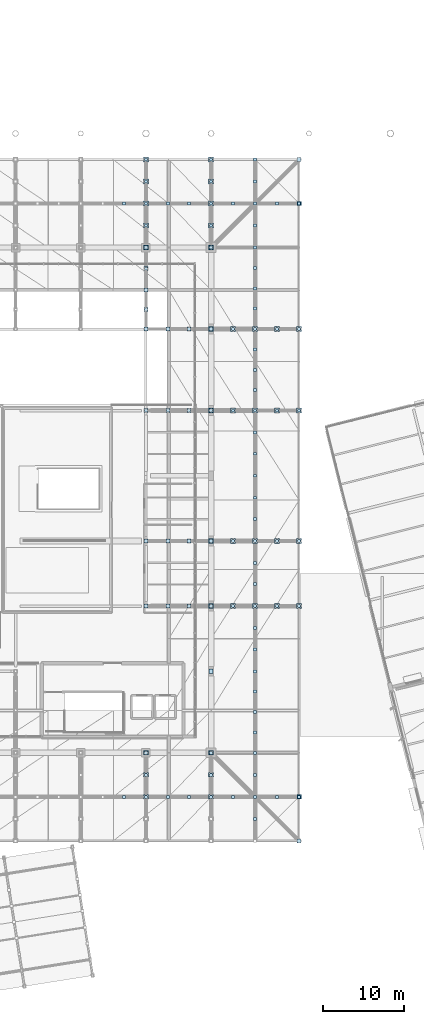
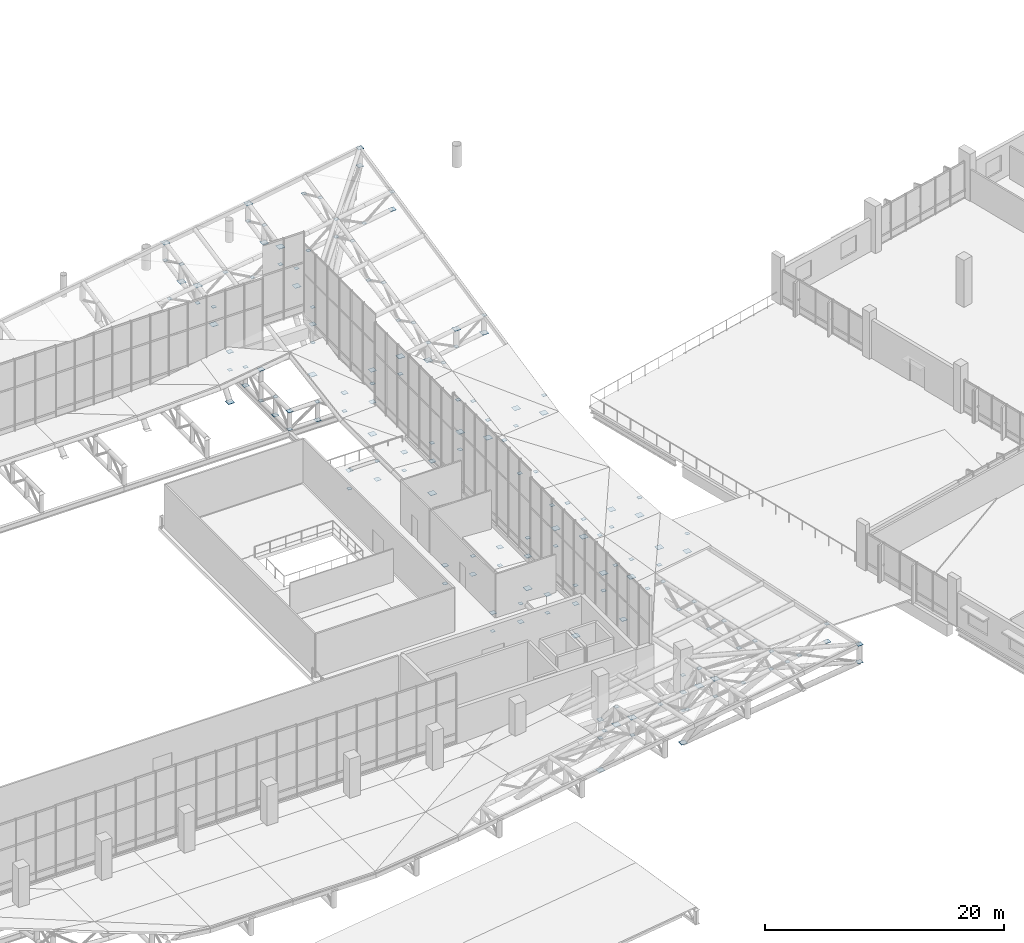
# One storey, part 119 of 137: 162 plates.
"""IFC4 building model written with IfcOpenShell, lengths in metres."""

from ifc_helpers import new_model, si_unit, direction, frame, origin, origin_2d, place, context, subcontext, project, spatial, rectangle, extrude, material, layer, layer_set, type_object, element, save


model = new_model("IFC4")

# Units and contexts
model_context = context("Model", 3, precision=1e-05, world=origin(), true_north=direction((0.0, 1.0)))
body_context = subcontext(model_context, "Body", "Model", "MODEL_VIEW")
ifc_project = project(units=[si_unit("LENGTHUNIT", "METRE"), si_unit("AREAUNIT", "SQUARE_METRE"), si_unit("VOLUMEUNIT", "CUBIC_METRE"), si_unit("PLANEANGLEUNIT", "RADIAN"), si_unit("MASSUNIT", "GRAM", prefix="KILO")], contexts=[model_context])

# Site, building, storey
site_placement = place(None, origin())
site = spatial("IfcSite", under=ifc_project, at=site_placement, CompositionType="ELEMENT")
building_placement = place(site_placement, origin())
building = spatial("IfcBuilding", under=site, at=building_placement, Name="Khorjan Park Terminus", CompositionType="ELEMENT")
storey_placement = place(building_placement, frame((0.0, 0.0, 11.4)))
storey = spatial("IfcBuildingStorey", under=building, at=storey_placement, Name="L02", CompositionType="ELEMENT", Elevation=11.4)

# Plates
ifc_material = material(Name="Steel S355", Category="steel")
ifc_layer_1 = layer(ifc_material, 0.022)
ifc_layer_set_1 = layer_set([ifc_layer_1], Name="Steel S355")
plate_type_1 = type_object("IfcPlateType", Name="PT-GUS-22", PredefinedType="SHEET", material=ifc_layer_set_1)
plate_placement = place(storey_placement, frame((128.0, 26.0, -0.061), z_axis=(0.0, 0.0, 1.0), x_axis=(1.0, 0.0, 0.0)))
element("IfcPlate", 1, at=plate_placement, inside=storey, type_object=plate_type_1, Name="Steel truss node cap plate NP-22 (RC2-GUS-END-0837)", PredefinedType="SHEET", context=body_context, shape_type="SweptSolid", body=[
    extrude(rectangle(XDim=0.49, YDim=0.49, at=origin_2d()), origin(), (0.0, 0.0, 1.0), 0.022),
])
for number, where, z_axis, x_axis, name in (
    (2, (128.0, 78.0, -1.931), (0.0, 0.0, 1.0), (1.0, 0.0, 0.0), "Steel truss node cap plate NP-22 (RC2-GUS-END-0839)"),
    (3, (128.0, 80.4, -0.061), (0.0, 0.0, 1.0), (1.0, 0.0, 0.0), "Steel truss node cap plate NP-22 (RC2-GUS-END-0840)"),
    (4, (128.0, 82.8, -1.931), (0.0, 0.0, 1.0), (1.0, 0.0, 0.0), "Steel truss node cap plate NP-22 (RC2-GUS-END-0841)"),
    (5, (128.0, 85.4, -0.061), (0.0, 0.0, 1.0), (1.0, 0.0, 0.0), "Steel truss node cap plate NP-22 (RC2-GUS-END-0842)"),
    (6, (128.0, 88.0, -1.931), (0.0, 0.0, 1.0), (1.0, 0.0, 0.0), "Steel truss node cap plate NP-22 (RC2-GUS-END-0843)"),
):
    element("IfcPlate", number, at=place(storey_placement, frame(where, z_axis=z_axis, x_axis=x_axis)), inside=storey, type_object=plate_type_1, Name=name, PredefinedType="SHEET", context=body_context, shape_type="SweptSolid", body=[
        extrude(rectangle(XDim=0.36, YDim=0.36, at=origin_2d()), origin(), (0.0, 0.0, 1.0), 0.022),
    ])
for number, where, z_axis, x_axis, name in (
    (7, (128.0, 78.0, -0.061), (0.0, 0.0, 1.0), (1.0, 0.0, 0.0), "Steel truss node cap plate NP-22 (RC2-GUS-END-0848)"),
    (8, (128.0, 80.4, -1.931), (0.0, 0.0, 1.0), (1.0, 0.0, 0.0), "Steel truss node cap plate NP-22 (RC2-GUS-END-0849)"),
    (9, (128.0, 82.8, 1.2795), (0.0, 0.0, 1.0), (1.0, 0.0, 0.0), "Steel truss node cap plate NP-22 (RC2-GUS-END-0850)"),
    (10, (128.0, 85.4, -1.931), (0.0, 0.0, 1.0), (1.0, 0.0, 0.0), "Steel truss node cap plate NP-22 (RC2-GUS-END-0851)"),
    (11, (128.0, 88.0, -0.061), (0.0, 0.0, 1.0), (1.0, 0.0, 0.0), "Steel truss node cap plate NP-22 (RC2-GUS-END-0852)"),
    (12, (136.0, 26.0, -0.061), (0.0, 0.0, 1.0), (1.0, 0.0, 0.0), "Steel truss node cap plate NP-22 (RC2-GUS-END-0867)"),
    (13, (136.0, 88.0, -0.061), (0.0, 0.0, 1.0), (1.0, 0.0, 0.0), "Steel truss node cap plate NP-22 (RC2-GUS-END-0874)"),
):
    element("IfcPlate", number, at=place(storey_placement, frame(where, z_axis=z_axis, x_axis=x_axis)), inside=storey, type_object=plate_type_1, Name=name, PredefinedType="SHEET", context=body_context, shape_type="SweptSolid", body=[
        extrude(rectangle(XDim=0.49, YDim=0.49, at=origin_2d()), origin(), (0.0, 0.0, 1.0), 0.022),
    ])
for number, where, z_axis, x_axis, name in (
    (14, (128.0, 44.0, -1.931), (0.0, 0.0, 1.0), (1.0, 0.0, 0.0), "Steel truss node cap plate NP-22 (RC2-GUS-END-0963)"),
    (15, (130.7, 44.0, -0.061), (0.0, 0.0, 1.0), (1.0, 0.0, 0.0), "Steel truss node cap plate NP-22 (RC2-GUS-END-0964)"),
    (16, (133.3, 44.0, -1.931), (0.0, 0.0, 1.0), (1.0, 0.0, 0.0), "Steel truss node cap plate NP-22 (RC2-GUS-END-0965)"),
    (17, (136.0, 44.0, -0.061), (0.0, 0.0, 1.0), (1.0, 0.0, 0.0), "Steel truss node cap plate NP-22 (RC2-GUS-END-0966)"),
):
    element("IfcPlate", number, at=place(storey_placement, frame(where, z_axis=z_axis, x_axis=x_axis)), inside=storey, type_object=plate_type_1, Name=name, PredefinedType="SHEET", context=body_context, shape_type="SweptSolid", body=[
        extrude(rectangle(XDim=0.36, YDim=0.36, at=origin_2d()), origin(), (0.0, 0.0, 1.0), 0.022),
    ])
for number, where, z_axis, x_axis, name in (
    (18, (128.0, 44.0, -0.061), (0.0, 0.0, 1.0), (1.0, 0.0, 0.0), "Steel truss node cap plate NP-22 (RC2-GUS-END-0971)"),
    (19, (130.7, 44.0, -1.931), (0.0, 0.0, 1.0), (1.0, 0.0, 0.0), "Steel truss node cap plate NP-22 (RC2-GUS-END-0972)"),
    (20, (133.3, 44.0, -0.061), (0.0, 0.0, 1.0), (1.0, 0.0, 0.0), "Steel truss node cap plate NP-22 (RC2-GUS-END-0973)"),
    (21, (136.0, 44.0, -1.931), (0.0, 0.0, 1.0), (1.0, 0.0, 0.0), "Steel truss node cap plate NP-22 (RC2-GUS-END-0974)"),
):
    element("IfcPlate", number, at=place(storey_placement, frame(where, z_axis=z_axis, x_axis=x_axis)), inside=storey, type_object=plate_type_1, Name=name, PredefinedType="SHEET", context=body_context, shape_type="SweptSolid", body=[
        extrude(rectangle(XDim=0.49, YDim=0.49, at=origin_2d()), origin(), (0.0, 0.0, 1.0), 0.022),
    ])
for number, where, z_axis, x_axis, name in (
    (22, (128.0, 52.0, -1.931), (0.0, 0.0, 1.0), (1.0, 0.0, 0.0), "Steel truss node cap plate NP-22 (RC2-GUS-END-1003)"),
    (23, (130.7, 52.0, -0.061), (0.0, 0.0, 1.0), (1.0, 0.0, 0.0), "Steel truss node cap plate NP-22 (RC2-GUS-END-1004)"),
    (24, (133.3, 52.0, -1.931), (0.0, 0.0, 1.0), (1.0, 0.0, 0.0), "Steel truss node cap plate NP-22 (RC2-GUS-END-1005)"),
    (25, (136.0, 52.0, -0.061), (0.0, 0.0, 1.0), (1.0, 0.0, 0.0), "Steel truss node cap plate NP-22 (RC2-GUS-END-1006)"),
):
    element("IfcPlate", number, at=place(storey_placement, frame(where, z_axis=z_axis, x_axis=x_axis)), inside=storey, type_object=plate_type_1, Name=name, PredefinedType="SHEET", context=body_context, shape_type="SweptSolid", body=[
        extrude(rectangle(XDim=0.36, YDim=0.36, at=origin_2d()), origin(), (0.0, 0.0, 1.0), 0.022),
    ])
for number, where, z_axis, x_axis, name in (
    (26, (128.0, 52.0, -0.061), (0.0, 0.0, 1.0), (1.0, 0.0, 0.0), "Steel truss node cap plate NP-22 (RC2-GUS-END-1011)"),
    (27, (130.7, 52.0, -1.931), (0.0, 0.0, 1.0), (1.0, 0.0, 0.0), "Steel truss node cap plate NP-22 (RC2-GUS-END-1012)"),
    (28, (133.3, 52.0, -0.061), (0.0, 0.0, 1.0), (1.0, 0.0, 0.0), "Steel truss node cap plate NP-22 (RC2-GUS-END-1013)"),
    (29, (136.0, 52.0, -1.931), (0.0, 0.0, 1.0), (1.0, 0.0, 0.0), "Steel truss node cap plate NP-22 (RC2-GUS-END-1014)"),
):
    element("IfcPlate", number, at=place(storey_placement, frame(where, z_axis=z_axis, x_axis=x_axis)), inside=storey, type_object=plate_type_1, Name=name, PredefinedType="SHEET", context=body_context, shape_type="SweptSolid", body=[
        extrude(rectangle(XDim=0.49, YDim=0.49, at=origin_2d()), origin(), (0.0, 0.0, 1.0), 0.022),
    ])
for number, where, z_axis, x_axis, name in (
    (30, (128.0, 68.0, -1.931), (0.0, 0.0, 1.0), (1.0, 0.0, 0.0), "Steel truss node cap plate NP-22 (RC2-GUS-END-1043)"),
    (31, (130.7, 68.0, -0.061), (0.0, 0.0, 1.0), (1.0, 0.0, 0.0), "Steel truss node cap plate NP-22 (RC2-GUS-END-1044)"),
    (32, (133.3, 68.0, -1.931), (0.0, 0.0, 1.0), (1.0, 0.0, 0.0), "Steel truss node cap plate NP-22 (RC2-GUS-END-1045)"),
    (33, (136.0, 68.0, -0.061), (0.0, 0.0, 1.0), (1.0, 0.0, 0.0), "Steel truss node cap plate NP-22 (RC2-GUS-END-1046)"),
):
    element("IfcPlate", number, at=place(storey_placement, frame(where, z_axis=z_axis, x_axis=x_axis)), inside=storey, type_object=plate_type_1, Name=name, PredefinedType="SHEET", context=body_context, shape_type="SweptSolid", body=[
        extrude(rectangle(XDim=0.36, YDim=0.36, at=origin_2d()), origin(), (0.0, 0.0, 1.0), 0.022),
    ])
for number, where, z_axis, x_axis, name in (
    (34, (128.0, 68.0, -0.061), (0.0, 0.0, 1.0), (1.0, 0.0, 0.0), "Steel truss node cap plate NP-22 (RC2-GUS-END-1051)"),
    (35, (130.7, 68.0, -1.931), (0.0, 0.0, 1.0), (1.0, 0.0, 0.0), "Steel truss node cap plate NP-22 (RC2-GUS-END-1052)"),
    (36, (133.3, 68.0, -0.061), (0.0, 0.0, 1.0), (1.0, 0.0, 0.0), "Steel truss node cap plate NP-22 (RC2-GUS-END-1053)"),
    (37, (136.0, 68.0, -1.931), (0.0, 0.0, 1.0), (1.0, 0.0, 0.0), "Steel truss node cap plate NP-22 (RC2-GUS-END-1054)"),
):
    element("IfcPlate", number, at=place(storey_placement, frame(where, z_axis=z_axis, x_axis=x_axis)), inside=storey, type_object=plate_type_1, Name=name, PredefinedType="SHEET", context=body_context, shape_type="SweptSolid", body=[
        extrude(rectangle(XDim=0.49, YDim=0.49, at=origin_2d()), origin(), (0.0, 0.0, 1.0), 0.022),
    ])
for number, where, z_axis, x_axis, name in (
    (38, (130.7, 78.0, -0.061), (0.0, 0.0, 1.0), (1.0, 0.0, 0.0), "Steel truss node cap plate NP-22 (RC2-GUS-END-1079)"),
    (39, (133.3, 78.0, -1.931), (0.0, 0.0, 1.0), (1.0, 0.0, 0.0), "Steel truss node cap plate NP-22 (RC2-GUS-END-1080)"),
    (40, (136.0, 78.0, -0.061), (0.0, 0.0, 1.0), (1.0, 0.0, 0.0), "Steel truss node cap plate NP-22 (RC2-GUS-END-1081)"),
):
    element("IfcPlate", number, at=place(storey_placement, frame(where, z_axis=z_axis, x_axis=x_axis)), inside=storey, type_object=plate_type_1, Name=name, PredefinedType="SHEET", context=body_context, shape_type="SweptSolid", body=[
        extrude(rectangle(XDim=0.36, YDim=0.36, at=origin_2d()), origin(), (0.0, 0.0, 1.0), 0.022),
    ])
for number, where, z_axis, x_axis, name in (
    (41, (130.7, 78.0, -1.931), (0.0, 0.0, 1.0), (1.0, 0.0, 0.0), "Steel truss node cap plate NP-22 (RC2-GUS-END-1086)"),
    (42, (133.3, 78.0, -0.061), (0.0, 0.0, 1.0), (1.0, 0.0, 0.0), "Steel truss node cap plate NP-22 (RC2-GUS-END-1087)"),
    (43, (136.0, 78.0, -1.931), (0.0, 0.0, 1.0), (1.0, 0.0, 0.0), "Steel truss node cap plate NP-22 (RC2-GUS-END-1088)"),
):
    element("IfcPlate", number, at=place(storey_placement, frame(where, z_axis=z_axis, x_axis=x_axis)), inside=storey, type_object=plate_type_1, Name=name, PredefinedType="SHEET", context=body_context, shape_type="SweptSolid", body=[
        extrude(rectangle(XDim=0.49, YDim=0.49, at=origin_2d()), origin(), (0.0, 0.0, 1.0), 0.022),
    ])
ifc_layer_2 = layer(ifc_material, 0.025)
ifc_layer_set_2 = layer_set([ifc_layer_2], Name="Steel S355")
plate_type_2 = type_object("IfcPlateType", Name="PT-GUSE-25", PredefinedType="SHEET", material=ifc_layer_set_2)
for number, where, z_axis, x_axis, name in (
    (44, (136.0, 36.0, 1.3117), (0.0, 0.0, 1.0), (1.0, 0.0, 0.0), "Steel truss node cap plate NPE-25 (RC2-NP-LRIM-S-136)"),
    (45, (136.0, 78.0, 1.3117), (0.0, 0.0, 1.0), (1.0, 0.0, 0.0), "Steel truss node cap plate NPE-25 (RC2-NP-LRIM-N-136)"),
    (46, (146.8, 20.6, 4.6131), (0.0, 0.0, 1.0), (1.0, 0.0, 0.0), "Steel truss node cap plate NPE-25 (RC2-NP-LMR-E-S)"),
    (47, (146.8, 93.4, 4.6131), (0.0, 0.0, 1.0), (1.0, 0.0, 0.0), "Steel truss node cap plate NPE-25 (RC2-NP-LMR-E-N)"),
):
    element("IfcPlate", number, at=place(storey_placement, frame(where, z_axis=z_axis, x_axis=x_axis)), inside=storey, type_object=plate_type_2, Name=name, PredefinedType="SHEET", context=body_context, shape_type="SweptSolid", body=[
        extrude(rectangle(XDim=0.52, YDim=0.52, at=origin_2d()), origin(), (0.0, 0.0, 1.0), 0.025),
    ])
for number, where, z_axis, x_axis, name in (
    (48, (146.8, 15.2, 7.6075), (0.0, 0.0, 1.0), (1.0, 0.0, 0.0), "Steel truss node cap plate NPE-25 (RC2-NP-LCRN-SE)"),
    (49, (146.8, 15.2, 5.8075), (0.0, 0.0, 1.0), (1.0, 0.0, 0.0), "Steel truss node cap plate NPE-25 (RC2-NP-LCRN-B-SE)"),
    (50, (146.8, 98.8, 7.6075), (0.0, 0.0, 1.0), (1.0, 0.0, 0.0), "Steel truss node cap plate NPE-25 (RC2-NP-LCRN-NE)"),
    (51, (146.8, 98.8, 5.8075), (0.0, 0.0, 1.0), (1.0, 0.0, 0.0), "Steel truss node cap plate NPE-25 (RC2-NP-LCRN-B-NE)"),
):
    element("IfcPlate", number, at=place(storey_placement, frame(where, z_axis=z_axis, x_axis=x_axis)), inside=storey, type_object=plate_type_2, Name=name, PredefinedType="SHEET", context=body_context, shape_type="SweptSolid", body=[
        extrude(rectangle(XDim=0.5, YDim=0.5, at=origin_2d()), origin(), (0.0, 0.0, 1.0), 0.025),
    ])
for number, where, z_axis, x_axis, name in (
    (52, (128.0, 20.6, 1.6258), (0.0, 0.0, 1.0), (1.0, 0.0, 0.0), "Steel truss node cap plate NPE-25 (RC2-GUS-END-0830)"),
    (53, (128.0, 23.3, 2.8748), (0.0, 0.0, 1.0), (1.0, 0.0, 0.0), "Steel truss node cap plate NPE-25 (RC2-GUS-END-0831)"),
    (54, (128.0, 26.0, -1.9325), (0.0, 0.0, 1.0), (1.0, 0.0, 0.0), "Steel truss node cap plate NPE-25 (RC2-GUS-END-0832)"),
):
    element("IfcPlate", number, at=place(storey_placement, frame(where, z_axis=z_axis, x_axis=x_axis)), inside=storey, type_object=plate_type_2, Name=name, PredefinedType="SHEET", context=body_context, shape_type="SweptSolid", body=[
        extrude(rectangle(XDim=0.36, YDim=0.36, at=origin_2d()), origin(), (0.0, 0.0, 1.0), 0.025),
    ])
for number, where, z_axis, x_axis, name in (
    (55, (128.0, 20.6, 3.4258), (0.0, 0.0, 1.0), (1.0, 0.0, 0.0), "Steel truss node cap plate NPE-25 (RC2-GUS-END-0835)"),
    (56, (128.0, 23.3, 1.0748), (0.0, 0.0, 1.0), (1.0, 0.0, 0.0), "Steel truss node cap plate NPE-25 (RC2-GUS-END-0836)"),
    (57, (128.0, 26.0, -5.2125), (0.0, 0.0, 1.0), (1.0, 0.0, 0.0), "Steel truss node cap plate NPE-25 (RC2-GUS-END-0838)"),
):
    element("IfcPlate", number, at=place(storey_placement, frame(where, z_axis=z_axis, x_axis=x_axis)), inside=storey, type_object=plate_type_2, Name=name, PredefinedType="SHEET", context=body_context, shape_type="SweptSolid", body=[
        extrude(rectangle(XDim=0.59, YDim=0.59, at=origin_2d()), origin(), (0.0, 0.0, 1.0), 0.025),
    ])
for number, where, z_axis, x_axis, name in (
    (58, (128.0, 90.7, 2.8748), (0.0, 0.0, 1.0), (1.0, 0.0, 0.0), "Steel truss node cap plate NPE-25 (RC2-GUS-END-0844)"),
    (59, (128.0, 93.4, 1.6258), (0.0, 0.0, 1.0), (1.0, 0.0, 0.0), "Steel truss node cap plate NPE-25 (RC2-GUS-END-0845)"),
    (60, (128.0, 96.1, 3.969), (0.0, 0.0, 1.0), (1.0, 0.0, 0.0), "Steel truss node cap plate NPE-25 (RC2-GUS-END-0846)"),
    (61, (128.0, 98.8, 2.72), (0.0, 0.0, 1.0), (1.0, 0.0, 0.0), "Steel truss node cap plate NPE-25 (RC2-GUS-END-0847)"),
):
    element("IfcPlate", number, at=place(storey_placement, frame(where, z_axis=z_axis, x_axis=x_axis)), inside=storey, type_object=plate_type_2, Name=name, PredefinedType="SHEET", context=body_context, shape_type="SweptSolid", body=[
        extrude(rectangle(XDim=0.36, YDim=0.36, at=origin_2d()), origin(), (0.0, 0.0, 1.0), 0.025),
    ])
for number, where, z_axis, x_axis, name in (
    (62, (128.0, 90.7, 1.0748), (0.0, 0.0, 1.0), (1.0, 0.0, 0.0), "Steel truss node cap plate NPE-25 (RC2-GUS-END-0853)"),
    (63, (128.0, 93.4, 3.4258), (0.0, 0.0, 1.0), (1.0, 0.0, 0.0), "Steel truss node cap plate NPE-25 (RC2-GUS-END-0854)"),
    (64, (128.0, 96.1, 2.169), (0.0, 0.0, 1.0), (1.0, 0.0, 0.0), "Steel truss node cap plate NPE-25 (RC2-GUS-END-0855)"),
    (65, (128.0, 98.8, 4.52), (0.0, 0.0, 1.0), (1.0, 0.0, 0.0), "Steel truss node cap plate NPE-25 (RC2-GUS-END-0856)"),
    (66, (128.0, 88.0, -5.2125), (0.0, 0.0, 1.0), (1.0, 0.0, 0.0), "Steel truss node cap plate NPE-25 (RC2-GUS-END-0857)"),
):
    element("IfcPlate", number, at=place(storey_placement, frame(where, z_axis=z_axis, x_axis=x_axis)), inside=storey, type_object=plate_type_2, Name=name, PredefinedType="SHEET", context=body_context, shape_type="SweptSolid", body=[
        extrude(rectangle(XDim=0.59, YDim=0.59, at=origin_2d()), origin(), (0.0, 0.0, 1.0), 0.025),
    ])
for number, where, z_axis, x_axis, name in (
    (67, (136.0, 20.6, 2.781), (0.0, 0.0, 1.0), (1.0, 0.0, 0.0), "Steel truss node cap plate NPE-25 (RC2-GUS-END-0860)"),
    (68, (136.0, 23.3, 4.0078), (0.0, 0.0, 1.0), (1.0, 0.0, 0.0), "Steel truss node cap plate NPE-25 (RC2-GUS-END-0861)"),
    (69, (136.0, 26.0, -1.9325), (0.0, 0.0, 1.0), (1.0, 0.0, 0.0), "Steel truss node cap plate NPE-25 (RC2-GUS-END-0862)"),
):
    element("IfcPlate", number, at=place(storey_placement, frame(where, z_axis=z_axis, x_axis=x_axis)), inside=storey, type_object=plate_type_2, Name=name, PredefinedType="SHEET", context=body_context, shape_type="SweptSolid", body=[
        extrude(rectangle(XDim=0.36, YDim=0.36, at=origin_2d()), origin(), (0.0, 0.0, 1.0), 0.025),
    ])
for number, where, z_axis, x_axis, name in (
    (70, (136.0, 20.6, 4.581), (0.0, 0.0, 1.0), (1.0, 0.0, 0.0), "Steel truss node cap plate NPE-25 (RC2-GUS-END-0865)"),
    (71, (136.0, 23.3, 2.2078), (0.0, 0.0, 1.0), (1.0, 0.0, 0.0), "Steel truss node cap plate NPE-25 (RC2-GUS-END-0866)"),
    (72, (136.0, 26.0, -5.2125), (0.0, 0.0, 1.0), (1.0, 0.0, 0.0), "Steel truss node cap plate NPE-25 (RC2-GUS-END-0868)"),
):
    element("IfcPlate", number, at=place(storey_placement, frame(where, z_axis=z_axis, x_axis=x_axis)), inside=storey, type_object=plate_type_2, Name=name, PredefinedType="SHEET", context=body_context, shape_type="SweptSolid", body=[
        extrude(rectangle(XDim=0.59, YDim=0.59, at=origin_2d()), origin(), (0.0, 0.0, 1.0), 0.025),
    ])
for number, where, z_axis, x_axis, name in (
    (73, (136.0, 88.0, -1.9325), (0.0, 0.0, 1.0), (1.0, 0.0, 0.0), "Steel truss node cap plate NPE-25 (RC2-GUS-END-0869)"),
    (74, (136.0, 90.7, 4.0078), (0.0, 0.0, 1.0), (1.0, 0.0, 0.0), "Steel truss node cap plate NPE-25 (RC2-GUS-END-0870)"),
    (75, (136.0, 93.4, 2.781), (0.0, 0.0, 1.0), (1.0, 0.0, 0.0), "Steel truss node cap plate NPE-25 (RC2-GUS-END-0871)"),
    (76, (136.0, 96.1, 5.1542), (0.0, 0.0, 1.0), (1.0, 0.0, 0.0), "Steel truss node cap plate NPE-25 (RC2-GUS-END-0872)"),
    (77, (136.0, 98.8, 3.9274), (0.0, 0.0, 1.0), (1.0, 0.0, 0.0), "Steel truss node cap plate NPE-25 (RC2-GUS-END-0873)"),
):
    element("IfcPlate", number, at=place(storey_placement, frame(where, z_axis=z_axis, x_axis=x_axis)), inside=storey, type_object=plate_type_2, Name=name, PredefinedType="SHEET", context=body_context, shape_type="SweptSolid", body=[
        extrude(rectangle(XDim=0.36, YDim=0.36, at=origin_2d()), origin(), (0.0, 0.0, 1.0), 0.025),
    ])
for number, where, z_axis, x_axis, name in (
    (78, (136.0, 90.7, 2.2078), (0.0, 0.0, 1.0), (1.0, 0.0, 0.0), "Steel truss node cap plate NPE-25 (RC2-GUS-END-0875)"),
    (79, (136.0, 93.4, 4.581), (0.0, 0.0, 1.0), (1.0, 0.0, 0.0), "Steel truss node cap plate NPE-25 (RC2-GUS-END-0876)"),
    (80, (136.0, 96.1, 3.3542), (0.0, 0.0, 1.0), (1.0, 0.0, 0.0), "Steel truss node cap plate NPE-25 (RC2-GUS-END-0877)"),
    (81, (136.0, 98.8, 5.7274), (0.0, 0.0, 1.0), (1.0, 0.0, 0.0), "Steel truss node cap plate NPE-25 (RC2-GUS-END-0878)"),
    (82, (136.0, 88.0, -5.2125), (0.0, 0.0, 1.0), (1.0, 0.0, 0.0), "Steel truss node cap plate NPE-25 (RC2-GUS-END-0879)"),
):
    element("IfcPlate", number, at=place(storey_placement, frame(where, z_axis=z_axis, x_axis=x_axis)), inside=storey, type_object=plate_type_2, Name=name, PredefinedType="SHEET", context=body_context, shape_type="SweptSolid", body=[
        extrude(rectangle(XDim=0.59, YDim=0.59, at=origin_2d()), origin(), (0.0, 0.0, 1.0), 0.025),
    ])
for number, where, z_axis, x_axis, name in (
    (83, (125.3, 20.6, 3.0185), (0.0, 0.0, 1.0), (1.0, 0.0, 0.0), "Steel truss node cap plate NPE-25 (RC2-GUS-END-0903)"),
    (84, (130.7, 20.6, 3.8331), (0.0, 0.0, 1.0), (1.0, 0.0, 0.0), "Steel truss node cap plate NPE-25 (RC2-GUS-END-0904)"),
    (85, (133.3, 20.6, 2.4005), (0.0, 0.0, 1.0), (1.0, 0.0, 0.0), "Steel truss node cap plate NPE-25 (RC2-GUS-END-0905)"),
    (86, (138.7, 20.6, 3.239), (0.0, 0.0, 1.0), (1.0, 0.0, 0.0), "Steel truss node cap plate NPE-25 (RC2-GUS-END-0906)"),
    (87, (141.4, 20.6, 5.4971), (0.0, 0.0, 1.0), (1.0, 0.0, 0.0), "Steel truss node cap plate NPE-25 (RC2-GUS-END-0907)"),
    (88, (144.1, 20.6, 4.1551), (0.0, 0.0, 1.0), (1.0, 0.0, 0.0), "Steel truss node cap plate NPE-25 (RC2-GUS-END-0908)"),
    (89, (146.8, 20.6, 6.4131), (0.0, 0.0, 1.0), (1.0, 0.0, 0.0), "Steel truss node cap plate NPE-25 (RC2-GUS-END-0909)"),
    (90, (125.3, 93.4, 3.0185), (0.0, 0.0, 1.0), (1.0, 0.0, 0.0), "Steel truss node cap plate NPE-25 (RC2-GUS-END-0933)"),
    (91, (130.7, 93.4, 3.8331), (0.0, 0.0, 1.0), (1.0, 0.0, 0.0), "Steel truss node cap plate NPE-25 (RC2-GUS-END-0934)"),
    (92, (133.3, 93.4, 2.4005), (0.0, 0.0, 1.0), (1.0, 0.0, 0.0), "Steel truss node cap plate NPE-25 (RC2-GUS-END-0935)"),
    (93, (138.7, 93.4, 3.239), (0.0, 0.0, 1.0), (1.0, 0.0, 0.0), "Steel truss node cap plate NPE-25 (RC2-GUS-END-0936)"),
    (94, (141.4, 93.4, 5.4971), (0.0, 0.0, 1.0), (1.0, 0.0, 0.0), "Steel truss node cap plate NPE-25 (RC2-GUS-END-0937)"),
    (95, (144.1, 93.4, 4.1551), (0.0, 0.0, 1.0), (1.0, 0.0, 0.0), "Steel truss node cap plate NPE-25 (RC2-GUS-END-0938)"),
    (96, (146.8, 93.4, 6.4131), (0.0, 0.0, 1.0), (1.0, 0.0, 0.0), "Steel truss node cap plate NPE-25 (RC2-GUS-END-0939)"),
    (97, (138.7, 44.0, -1.5472), (0.0, 0.0, 1.0), (1.0, 0.0, 0.0), "Steel truss node cap plate NPE-25 (RC2-GUS-END-0967)"),
    (98, (141.4, 44.0, 0.7108), (0.0, 0.0, 1.0), (1.0, 0.0, 0.0), "Steel truss node cap plate NPE-25 (RC2-GUS-END-0968)"),
    (99, (144.1, 44.0, -0.8125), (0.0, 0.0, 1.0), (1.0, 0.0, 0.0), "Steel truss node cap plate NPE-25 (RC2-GUS-END-0969)"),
    (100, (146.8, 44.0, 1.4455), (0.0, 0.0, 1.0), (1.0, 0.0, 0.0), "Steel truss node cap plate NPE-25 (RC2-GUS-END-0970)"),
):
    element("IfcPlate", number, at=place(storey_placement, frame(where, z_axis=z_axis, x_axis=x_axis)), inside=storey, type_object=plate_type_2, Name=name, PredefinedType="SHEET", context=body_context, shape_type="SweptSolid", body=[
        extrude(rectangle(XDim=0.36, YDim=0.36, at=origin_2d()), origin(), (0.0, 0.0, 1.0), 0.025),
    ])
for number, where, z_axis, x_axis, name in (
    (101, (138.7, 44.0, 0.2528), (0.0, 0.0, 1.0), (1.0, 0.0, 0.0), "Steel truss node cap plate NPE-25 (RC2-GUS-END-0975)"),
    (102, (141.4, 44.0, -1.0892), (0.0, 0.0, 1.0), (1.0, 0.0, 0.0), "Steel truss node cap plate NPE-25 (RC2-GUS-END-0976)"),
    (103, (144.1, 44.0, 0.9875), (0.0, 0.0, 1.0), (1.0, 0.0, 0.0), "Steel truss node cap plate NPE-25 (RC2-GUS-END-0977)"),
    (104, (146.8, 44.0, -0.3545), (0.0, 0.0, 1.0), (1.0, 0.0, 0.0), "Steel truss node cap plate NPE-25 (RC2-GUS-END-0978)"),
    (105, (136.0, 44.0, -5.2125), (0.0, 0.0, 1.0), (1.0, 0.0, 0.0), "Steel truss node cap plate NPE-25 (RC2-GUS-END-0979)"),
):
    element("IfcPlate", number, at=place(storey_placement, frame(where, z_axis=z_axis, x_axis=x_axis)), inside=storey, type_object=plate_type_2, Name=name, PredefinedType="SHEET", context=body_context, shape_type="SweptSolid", body=[
        extrude(rectangle(XDim=0.59, YDim=0.59, at=origin_2d()), origin(), (0.0, 0.0, 1.0), 0.025),
    ])
for number, where, z_axis, x_axis, name in (
    (106, (138.7, 52.0, -1.8405), (0.0, 0.0, 1.0), (1.0, 0.0, 0.0), "Steel truss node cap plate NPE-25 (RC2-GUS-END-1007)"),
    (107, (141.4, 52.0, -0.0405), (0.0, 0.0, 1.0), (1.0, 0.0, 0.0), "Steel truss node cap plate NPE-25 (RC2-GUS-END-1008)"),
    (108, (144.1, 52.0, -1.7937), (0.0, 0.0, 1.0), (1.0, 0.0, 0.0), "Steel truss node cap plate NPE-25 (RC2-GUS-END-1009)"),
    (109, (146.8, 52.0, 0.2717), (0.0, 0.0, 1.0), (1.0, 0.0, 0.0), "Steel truss node cap plate NPE-25 (RC2-GUS-END-1010)"),
):
    element("IfcPlate", number, at=place(storey_placement, frame(where, z_axis=z_axis, x_axis=x_axis)), inside=storey, type_object=plate_type_2, Name=name, PredefinedType="SHEET", context=body_context, shape_type="SweptSolid", body=[
        extrude(rectangle(XDim=0.36, YDim=0.36, at=origin_2d()), origin(), (0.0, 0.0, 1.0), 0.025),
    ])
for number, where, z_axis, x_axis, name in (
    (110, (138.7, 52.0, -0.0405), (0.0, 0.0, 1.0), (1.0, 0.0, 0.0), "Steel truss node cap plate NPE-25 (RC2-GUS-END-1015)"),
    (111, (141.4, 52.0, -1.8405), (0.0, 0.0, 1.0), (1.0, 0.0, 0.0), "Steel truss node cap plate NPE-25 (RC2-GUS-END-1016)"),
    (112, (144.1, 52.0, 0.0063), (0.0, 0.0, 1.0), (1.0, 0.0, 0.0), "Steel truss node cap plate NPE-25 (RC2-GUS-END-1017)"),
    (113, (146.8, 52.0, -1.5283), (0.0, 0.0, 1.0), (1.0, 0.0, 0.0), "Steel truss node cap plate NPE-25 (RC2-GUS-END-1018)"),
    (114, (136.0, 52.0, -5.2125), (0.0, 0.0, 1.0), (1.0, 0.0, 0.0), "Steel truss node cap plate NPE-25 (RC2-GUS-END-1019)"),
):
    element("IfcPlate", number, at=place(storey_placement, frame(where, z_axis=z_axis, x_axis=x_axis)), inside=storey, type_object=plate_type_2, Name=name, PredefinedType="SHEET", context=body_context, shape_type="SweptSolid", body=[
        extrude(rectangle(XDim=0.59, YDim=0.59, at=origin_2d()), origin(), (0.0, 0.0, 1.0), 0.025),
    ])
for number, where, z_axis, x_axis, name in (
    (115, (138.7, 68.0, -1.6925), (0.0, 0.0, 1.0), (1.0, 0.0, 0.0), "Steel truss node cap plate NPE-25 (RC2-GUS-END-1047)"),
    (116, (141.4, 68.0, 0.3769), (0.0, 0.0, 1.0), (1.0, 0.0, 0.0), "Steel truss node cap plate NPE-25 (RC2-GUS-END-1048)"),
    (117, (144.1, 68.0, -1.1578), (0.0, 0.0, 1.0), (1.0, 0.0, 0.0), "Steel truss node cap plate NPE-25 (RC2-GUS-END-1049)"),
    (118, (146.8, 68.0, 1.0209), (0.0, 0.0, 1.0), (1.0, 0.0, 0.0), "Steel truss node cap plate NPE-25 (RC2-GUS-END-1050)"),
):
    element("IfcPlate", number, at=place(storey_placement, frame(where, z_axis=z_axis, x_axis=x_axis)), inside=storey, type_object=plate_type_2, Name=name, PredefinedType="SHEET", context=body_context, shape_type="SweptSolid", body=[
        extrude(rectangle(XDim=0.36, YDim=0.36, at=origin_2d()), origin(), (0.0, 0.0, 1.0), 0.025),
    ])
for number, where, z_axis, x_axis, name in (
    (119, (138.7, 68.0, 0.1075), (0.0, 0.0, 1.0), (1.0, 0.0, 0.0), "Steel truss node cap plate NPE-25 (RC2-GUS-END-1055)"),
    (120, (141.4, 68.0, -1.4231), (0.0, 0.0, 1.0), (1.0, 0.0, 0.0), "Steel truss node cap plate NPE-25 (RC2-GUS-END-1056)"),
    (121, (144.1, 68.0, 0.6422), (0.0, 0.0, 1.0), (1.0, 0.0, 0.0), "Steel truss node cap plate NPE-25 (RC2-GUS-END-1057)"),
    (122, (146.8, 68.0, -0.7791), (0.0, 0.0, 1.0), (1.0, 0.0, 0.0), "Steel truss node cap plate NPE-25 (RC2-GUS-END-1058)"),
    (123, (136.0, 68.0, -5.2125), (0.0, 0.0, 1.0), (1.0, 0.0, 0.0), "Steel truss node cap plate NPE-25 (RC2-GUS-END-1059)"),
):
    element("IfcPlate", number, at=place(storey_placement, frame(where, z_axis=z_axis, x_axis=x_axis)), inside=storey, type_object=plate_type_2, Name=name, PredefinedType="SHEET", context=body_context, shape_type="SweptSolid", body=[
        extrude(rectangle(XDim=0.59, YDim=0.59, at=origin_2d()), origin(), (0.0, 0.0, 1.0), 0.025),
    ])
for number, where, z_axis, x_axis, name in (
    (124, (138.7, 78.0, -0.0303), (0.0, 0.0, 1.0), (1.0, 0.0, 0.0), "Steel truss node cap plate NPE-25 (RC2-GUS-END-1082)"),
    (125, (141.4, 78.0, 2.2278), (0.0, 0.0, 1.0), (1.0, 0.0, 0.0), "Steel truss node cap plate NPE-25 (RC2-GUS-END-1083)"),
    (126, (144.1, 78.0, 0.8858), (0.0, 0.0, 1.0), (1.0, 0.0, 0.0), "Steel truss node cap plate NPE-25 (RC2-GUS-END-1084)"),
    (127, (146.8, 78.0, 3.1439), (0.0, 0.0, 1.0), (1.0, 0.0, 0.0), "Steel truss node cap plate NPE-25 (RC2-GUS-END-1085)"),
):
    element("IfcPlate", number, at=place(storey_placement, frame(where, z_axis=z_axis, x_axis=x_axis)), inside=storey, type_object=plate_type_2, Name=name, PredefinedType="SHEET", context=body_context, shape_type="SweptSolid", body=[
        extrude(rectangle(XDim=0.36, YDim=0.36, at=origin_2d()), origin(), (0.0, 0.0, 1.0), 0.025),
    ])
for number, where, z_axis, x_axis, name in (
    (128, (138.7, 78.0, 1.7697), (0.0, 0.0, 1.0), (1.0, 0.0, 0.0), "Steel truss node cap plate NPE-25 (RC2-GUS-END-1089)"),
    (129, (141.4, 78.0, 0.4278), (0.0, 0.0, 1.0), (1.0, 0.0, 0.0), "Steel truss node cap plate NPE-25 (RC2-GUS-END-1090)"),
    (130, (144.1, 78.0, 2.6858), (0.0, 0.0, 1.0), (1.0, 0.0, 0.0), "Steel truss node cap plate NPE-25 (RC2-GUS-END-1091)"),
    (131, (146.8, 78.0, 1.3439), (0.0, 0.0, 1.0), (1.0, 0.0, 0.0), "Steel truss node cap plate NPE-25 (RC2-GUS-END-1092)"),
    (132, (136.0, 78.0, -5.2125), (0.0, 0.0, 1.0), (1.0, 0.0, 0.0), "Steel truss node cap plate NPE-25 (RC2-GUS-END-1093)"),
):
    element("IfcPlate", number, at=place(storey_placement, frame(where, z_axis=z_axis, x_axis=x_axis)), inside=storey, type_object=plate_type_2, Name=name, PredefinedType="SHEET", context=body_context, shape_type="SweptSolid", body=[
        extrude(rectangle(XDim=0.59, YDim=0.59, at=origin_2d()), origin(), (0.0, 0.0, 1.0), 0.025),
    ])
for number, where, z_axis, x_axis, name in (
    (133, (141.4, 17.9, 6.0703), (0.0, 0.0, 1.0), (1.0, 0.0, 0.0), "Steel truss node cap plate NPE-25 (RC2-GUS-END-1122)"),
    (134, (141.4, 20.6, 3.6971), (0.0, 0.0, 1.0), (1.0, 0.0, 0.0), "Steel truss node cap plate NPE-25 (RC2-GUS-END-1123)"),
    (135, (141.4, 23.3, 4.9239), (0.0, 0.0, 1.0), (1.0, 0.0, 0.0), "Steel truss node cap plate NPE-25 (RC2-GUS-END-1124)"),
    (136, (141.4, 26.0, 2.5507), (0.0, 0.0, 1.0), (1.0, 0.0, 0.0), "Steel truss node cap plate NPE-25 (RC2-GUS-END-1125)"),
    (137, (141.4, 28.5, 3.82), (0.0, 0.0, 1.0), (1.0, 0.0, 0.0), "Steel truss node cap plate NPE-25 (RC2-GUS-END-1126)"),
    (138, (141.4, 31.0, 1.4893), (0.0, 0.0, 1.0), (1.0, 0.0, 0.0), "Steel truss node cap plate NPE-25 (RC2-GUS-END-1127)"),
    (139, (141.4, 33.5, 2.7585), (0.0, 0.0, 1.0), (1.0, 0.0, 0.0), "Steel truss node cap plate NPE-25 (RC2-GUS-END-1128)"),
    (140, (141.4, 36.0, 0.4278), (0.0, 0.0, 1.0), (1.0, 0.0, 0.0), "Steel truss node cap plate NPE-25 (RC2-GUS-END-1129)"),
    (141, (141.4, 38.7, 1.6546), (0.0, 0.0, 1.0), (1.0, 0.0, 0.0), "Steel truss node cap plate NPE-25 (RC2-GUS-END-1130)"),
    (142, (141.4, 41.3, -0.6384), (0.0, 0.0, 1.0), (1.0, 0.0, 0.0), "Steel truss node cap plate NPE-25 (RC2-GUS-END-1131)"),
    (143, (141.4, 46.7, -1.54), (0.0, 0.0, 1.0), (1.0, 0.0, 0.0), "Steel truss node cap plate NPE-25 (RC2-GUS-END-1132)"),
    (144, (141.4, 49.3, -0.0405), (0.0, 0.0, 1.0), (1.0, 0.0, 0.0), "Steel truss node cap plate NPE-25 (RC2-GUS-END-1133)"),
    (145, (141.4, 54.7, -0.0405), (0.0, 0.0, 1.0), (1.0, 0.0, 0.0), "Steel truss node cap plate NPE-25 (RC2-GUS-END-1134)"),
    (146, (141.4, 57.3, -1.8405), (0.0, 0.0, 1.0), (1.0, 0.0, 0.0), "Steel truss node cap plate NPE-25 (RC2-GUS-END-1135)"),
    (147, (141.4, 60.0, -0.0405), (0.0, 0.0, 1.0), (1.0, 0.0, 0.0), "Steel truss node cap plate NPE-25 (RC2-GUS-END-1136)"),
    (148, (141.4, 62.7, -1.8405), (0.0, 0.0, 1.0), (1.0, 0.0, 0.0), "Steel truss node cap plate NPE-25 (RC2-GUS-END-1137)"),
    (149, (141.4, 65.3, -0.0405), (0.0, 0.0, 1.0), (1.0, 0.0, 0.0), "Steel truss node cap plate NPE-25 (RC2-GUS-END-1138)"),
    (150, (141.4, 70.5, 0.7943), (0.0, 0.0, 1.0), (1.0, 0.0, 0.0), "Steel truss node cap plate NPE-25 (RC2-GUS-END-1139)"),
    (151, (141.4, 73.0, -0.5884), (0.0, 0.0, 1.0), (1.0, 0.0, 0.0), "Steel truss node cap plate NPE-25 (RC2-GUS-END-1140)"),
    (152, (141.4, 75.5, 1.697), (0.0, 0.0, 1.0), (1.0, 0.0, 0.0), "Steel truss node cap plate NPE-25 (RC2-GUS-END-1141)"),
    (153, (141.4, 80.5, 2.7585), (0.0, 0.0, 1.0), (1.0, 0.0, 0.0), "Steel truss node cap plate NPE-25 (RC2-GUS-END-1142)"),
    (154, (141.4, 83.0, 1.4893), (0.0, 0.0, 1.0), (1.0, 0.0, 0.0), "Steel truss node cap plate NPE-25 (RC2-GUS-END-1143)"),
    (155, (141.4, 85.5, 3.82), (0.0, 0.0, 1.0), (1.0, 0.0, 0.0), "Steel truss node cap plate NPE-25 (RC2-GUS-END-1144)"),
    (156, (141.4, 88.0, 2.5507), (0.0, 0.0, 1.0), (1.0, 0.0, 0.0), "Steel truss node cap plate NPE-25 (RC2-GUS-END-1145)"),
    (157, (141.4, 90.7, 4.9239), (0.0, 0.0, 1.0), (1.0, 0.0, 0.0), "Steel truss node cap plate NPE-25 (RC2-GUS-END-1146)"),
    (158, (141.4, 93.4, 3.6971), (0.0, 0.0, 1.0), (1.0, 0.0, 0.0), "Steel truss node cap plate NPE-25 (RC2-GUS-END-1147)"),
    (159, (141.4, 96.1, 6.0702), (0.0, 0.0, 1.0), (1.0, 0.0, 0.0), "Steel truss node cap plate NPE-25 (RC2-GUS-END-1148)"),
    (160, (141.4, 98.8, 4.8434), (0.0, 0.0, 1.0), (1.0, 0.0, 0.0), "Steel truss node cap plate NPE-25 (RC2-GUS-END-1149)"),
    (161, (136.0, 26.0, 1.6826), (0.0, 0.0, 1.0), (1.0, 0.0, 0.0), "Steel truss node cap plate NPE-25 (RC2-GUS-END-1152)"),
    (162, (136.0, 88.0, 1.6826), (0.0, 0.0, 1.0), (1.0, 0.0, 0.0), "Steel truss node cap plate NPE-25 (RC2-GUS-END-1155)"),
):
    element("IfcPlate", number, at=place(storey_placement, frame(where, z_axis=z_axis, x_axis=x_axis)), inside=storey, type_object=plate_type_2, Name=name, PredefinedType="SHEET", context=body_context, shape_type="SweptSolid", body=[
        extrude(rectangle(XDim=0.36, YDim=0.36, at=origin_2d()), origin(), (0.0, 0.0, 1.0), 0.025),
    ])

save(model, "model.ifc")
